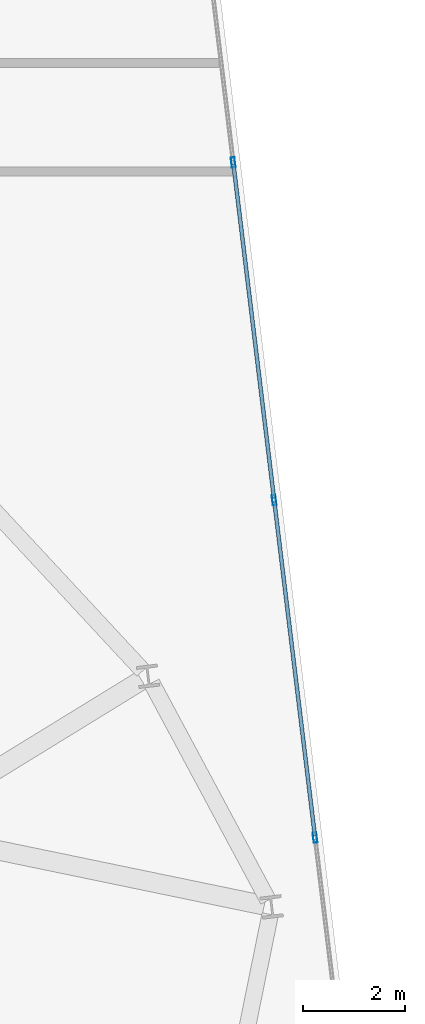
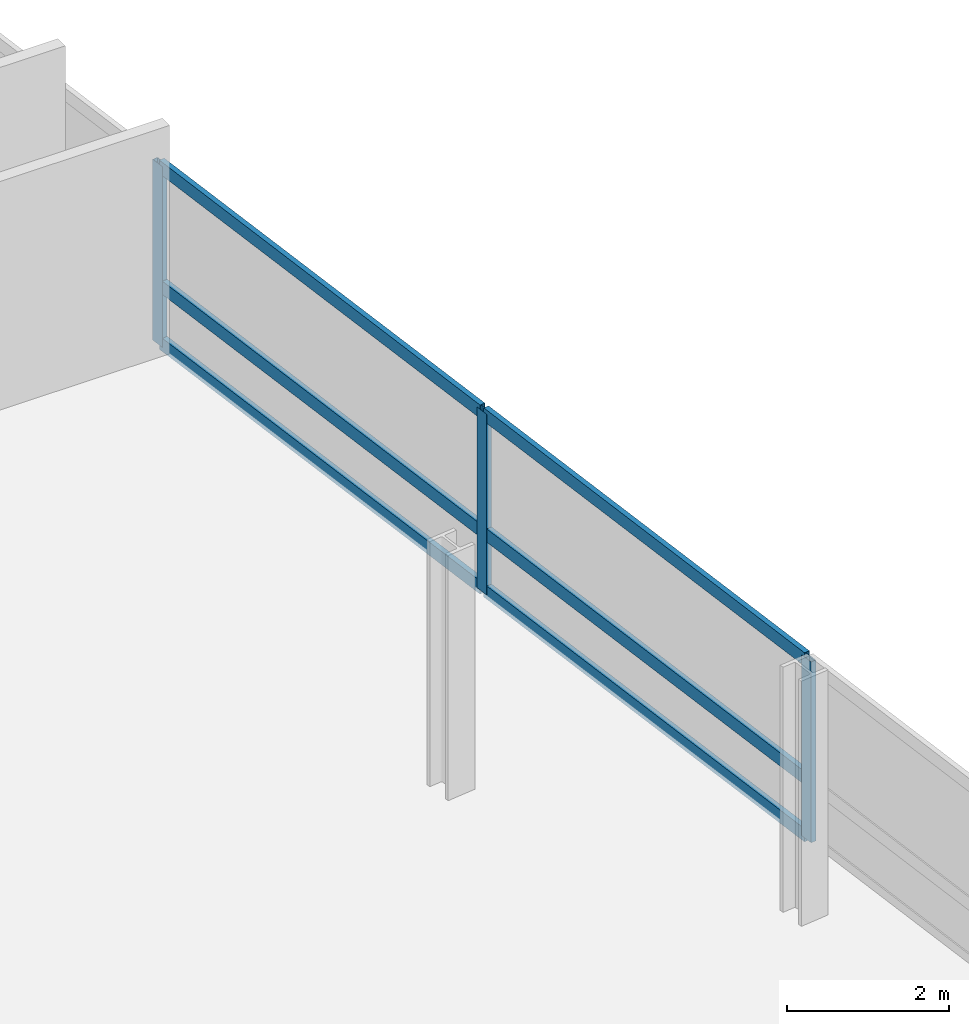
# One storey, part 11 of 22: 9 members, 1 element without a shape of its own.
"""IFC4 building model written with IfcOpenShell, lengths in metres."""

import ifcopenshell
import ifcopenshell.guid

model = None  # the IFC model being written
_history = None  # IfcOwnerHistory: only IFC2X3 demands one
_inside = {}  # id of a spatial element -> (the spatial element, [elements in it])
_under = {}  # id of a project, library or spatial element -> (it, [spatial elements below it])
_declared = {}  # id of a project -> (the project, [libraries it declares])
_typed = {}  # id of a type object -> (the type object, [elements of that type])
_made_of = {}  # id of a material, layer set ... -> (it, [elements and type objects made of it])


def new_model(schema):
    """Start an empty IFC model of exactly this schema.

    Asked for "IFC4X3", IfcOpenShell would pick the latest addendum, in which some entities
    have other attributes; the version numbers below select the first issue.
    IFC2X3 requires an IfcOwnerHistory on every rooted entity: one is made here for all.
    """
    global model, _history
    if schema == "IFC4X3":
        model = ifcopenshell.file(schema_version=(4, 3, 0, 0))
    else:
        model = ifcopenshell.file(schema=schema)
    _inside.clear()
    _under.clear()
    _declared.clear()
    _typed.clear()
    _made_of.clear()
    _history = None
    if model.schema == "IFC2X3":
        org = make("IfcOrganization", Name="unknown")
        user = make(
            "IfcPersonAndOrganization",
            ThePerson=make("IfcPerson", FamilyName="unknown"),
            TheOrganization=org,
        )
        app = make(
            "IfcApplication",
            ApplicationDeveloper=org,
            Version="unknown",
            ApplicationFullName="unknown",
            ApplicationIdentifier="unknown",
        )
        _history = make(
            "IfcOwnerHistory",
            OwningUser=user,
            OwningApplication=app,
            ChangeAction="ADDED",
            CreationDate=0,
        )
    return model


def make(cls, **values):
    """One entity of the class cls with the attributes given. An attribute that is None is left unset."""
    return model.create_entity(
        cls, **{name: value for name, value in values.items() if value is not None}
    )


def rooted(cls, **values):
    """An entity with a GlobalId (a new one), such as an element, a storey or a relation."""
    return make(cls, GlobalId=ifcopenshell.guid.new(), OwnerHistory=_history, **values)


def si_unit(unit_type, name, prefix=None):
    """IfcSIUnit, for example si_unit("LENGTHUNIT", "METRE", prefix="MILLI")."""
    return make("IfcSIUnit", UnitType=unit_type, Prefix=prefix, Name=name)


def assignment(units):
    """IfcUnitAssignment: the units of a project."""
    return None if units is None else make("IfcUnitAssignment", Units=units)


def point(xyz):
    """IfcCartesianPoint."""
    return None if xyz is None else make("IfcCartesianPoint", Coordinates=xyz)


def direction(xyz):
    """IfcDirection."""
    return None if xyz is None else make("IfcDirection", DirectionRatios=xyz)


def frame(location, z_axis=None, x_axis=None):
    """IfcAxis2Placement3D, a coordinate frame: its origin and axes. An axis left out is left unset."""
    return make(
        "IfcAxis2Placement3D",
        Location=point(location),
        Axis=direction(z_axis),
        RefDirection=direction(x_axis),
    )


def frame_2d(location, x_axis=None):
    """IfcAxis2Placement2D, a coordinate frame in the plane: its origin and x axis."""
    return make(
        "IfcAxis2Placement2D", Location=point(location), RefDirection=direction(x_axis)
    )


def origin():
    """The frame at (0, 0, 0) with its axes left unset."""
    return frame((0.0, 0.0, 0.0))


def origin_2d():
    """The frame at (0, 0) in the plane with its x axis left unset."""
    return frame_2d((0.0, 0.0))


def place(relative_to, where):
    """IfcLocalPlacement: puts the frame where relative to a parent placement (None: the world)."""
    return make(
        "IfcLocalPlacement", PlacementRelTo=relative_to, RelativePlacement=where
    )


def context(
    kind, dimensions, precision=None, world=None, true_north=None, identifier=None
):
    """IfcGeometricRepresentationContext, for example the 3D "Model" context."""
    return make(
        "IfcGeometricRepresentationContext",
        ContextIdentifier=identifier,
        ContextType=kind,
        CoordinateSpaceDimension=dimensions,
        Precision=precision,
        WorldCoordinateSystem=world,
        TrueNorth=true_north,
    )


def subcontext(parent, identifier, kind, view, scale=None):
    """IfcGeometricRepresentationSubContext, for example "Body" below "Model"."""
    return make(
        "IfcGeometricRepresentationSubContext",
        ContextIdentifier=identifier,
        ContextType=kind,
        ParentContext=parent,
        TargetScale=scale,
        TargetView=view,
    )


def project(units=None, contexts=None):
    """IfcProject with its units and contexts."""
    return rooted(
        "IfcProject",
        Name="project",
        RepresentationContexts=contexts,
        UnitsInContext=assignment(units),
    )


def spatial(cls, under=None, at=None, **own):
    """A site, building, storey or space (cls), placed at a placement, below another one or the project."""
    s = rooted(cls, ObjectPlacement=at, **own)
    if under is not None:
        _under.setdefault(under.id(), (under, []))[1].append(s)
    return s


def profile(cls, at=None, kind="AREA", **sizes):
    """A parametric profile (cls). Its sizes go by their IFC names, for example OverallWidth=200.0."""
    return make(cls, ProfileType=kind, Position=at, **sizes)


def hollow_rectangle(**sizes):
    """IfcRectangleHollowProfileDef."""
    return profile("IfcRectangleHollowProfileDef", **sizes)


def extrude(swept, where, along, depth):
    """IfcExtrudedAreaSolid: the profile swept, set in the frame where, extruded along a direction by depth."""
    return make(
        "IfcExtrudedAreaSolid",
        SweptArea=swept,
        Position=where,
        ExtrudedDirection=direction(along),
        Depth=depth,
    )


def shape(context_of_items, identifier, shape_type, items):
    """IfcShapeRepresentation: the items that make up one representation, for example the "Body"."""
    return make(
        "IfcShapeRepresentation",
        ContextOfItems=context_of_items,
        RepresentationIdentifier=identifier,
        RepresentationType=shape_type,
        Items=items,
    )


def material(Name=None, Category=None):
    """IfcMaterial."""
    return make("IfcMaterial", Name=Name, Category=Category)


def layer(
    of_material, thickness, ventilated=None, Name=None, Category=None, Priority=None
):
    """IfcMaterialLayer: one layer of a wall or slab, of a material (None: an air gap)."""
    return make(
        "IfcMaterialLayer",
        Material=of_material,
        LayerThickness=thickness,
        IsVentilated=ventilated,
        Name=Name,
        Category=Category,
        Priority=Priority,
    )


def layer_set(layers, Name=None):
    """IfcMaterialLayerSet."""
    return make("IfcMaterialLayerSet", MaterialLayers=layers, LayerSetName=Name)


def material_profile(
    of_material, cross_section, Name=None, Category=None, Priority=None
):
    """IfcMaterialProfile: a cross section and its material."""
    return make(
        "IfcMaterialProfile",
        Name=Name,
        Material=of_material,
        Profile=cross_section,
        Priority=Priority,
        Category=Category,
    )


def profile_set(profiles, Name=None, composite=None):
    """IfcMaterialProfileSet."""
    return make(
        "IfcMaterialProfileSet",
        Name=Name,
        MaterialProfiles=profiles,
        CompositeProfile=composite,
    )


def made_of(thing, what):
    """Note that an element or type object is made of a material, layer set ...; save() writes the relation."""
    if what is not None:
        _made_of.setdefault(what.id(), (what, []))[1].append(thing)
    return thing


def type_object(cls, material=None, **own):
    """A type object (cls), such as IfcWallType, which elements share."""
    return made_of(rooted(cls, **own), material)


def element(
    cls,
    number,
    at=None,
    inside=None,
    cuts=None,
    type_object=None,
    material=None,
    context=None,
    identifier="Body",
    shape_type=None,
    held_by="IfcProductDefinitionShape",
    body=None,
    shapes=None,
    **own,
):
    """One element of the class cls, such as IfcWall. Its Tag is "e" and its number.

    at: its placement. inside: the storey or other place that contains it. cuts: it is an
    opening in that element (IfcRelVoidsElement). A single representation is given by context,
    identifier, shape_type and body (its items); several are given by shapes. held_by: the class
    of the entity that holds the representations. save() writes the other relations.
    """
    e = rooted(cls, Tag="e%d" % number, ObjectPlacement=at, **own)
    if body is not None:
        shapes = [shape(context, identifier, shape_type, body)]
    if shapes is not None:
        e.Representation = make(held_by, Representations=shapes)
    if inside is not None:
        _inside.setdefault(inside.id(), (inside, []))[1].append(e)
    if cuts is not None:
        rooted(
            "IfcRelVoidsElement", RelatingBuildingElement=cuts, RelatedOpeningElement=e
        )
    if type_object is not None:
        _typed.setdefault(type_object.id(), (type_object, []))[1].append(e)
    return made_of(e, material)


def aggregate(whole, parts):
    """IfcRelAggregates: a whole, such as a stair, and the parts it consists of."""
    return rooted("IfcRelAggregates", RelatingObject=whole, RelatedObjects=parts)


def save(model, path):
    """Write the relations noted so far, then the file.

    IfcRelAggregates (storeys below a building ...), IfcRelContainedInSpatialStructure (elements
    in a storey), IfcRelDefinesByType, IfcRelAssociatesMaterial and IfcRelDeclares: one each for
    every whole, place, type object, material and project.
    """
    for whole, parts in _under.values():
        aggregate(whole, parts)
    for where, things in _inside.values():
        rooted(
            "IfcRelContainedInSpatialStructure",
            RelatedElements=things,
            RelatingStructure=where,
        )
    for kind, things in _typed.values():
        rooted("IfcRelDefinesByType", RelatedObjects=things, RelatingType=kind)
    for what, things in _made_of.values():
        rooted("IfcRelAssociatesMaterial", RelatedObjects=things, RelatingMaterial=what)
    for by, libraries in _declared.values():
        rooted("IfcRelDeclares", RelatingContext=by, RelatedDefinitions=libraries)
    model.write(path)


model = new_model("IFC4")

# Units and contexts
model_context = context("Model", 3, precision=1e-05, world=origin(), true_north=direction((0.0, 1.0)))
body_context = subcontext(model_context, "Body", "Model", "MODEL_VIEW")
ifc_project = project(units=[si_unit("LENGTHUNIT", "METRE"), si_unit("AREAUNIT", "SQUARE_METRE"), si_unit("VOLUMEUNIT", "CUBIC_METRE"), si_unit("PLANEANGLEUNIT", "RADIAN"), si_unit("MASSUNIT", "GRAM", prefix="KILO")], contexts=[model_context])

# Site, building, storey
site_placement = place(None, origin())
site = spatial("IfcSite", under=ifc_project, at=site_placement, CompositionType="ELEMENT")
building_placement = place(site_placement, origin())
building = spatial("IfcBuilding", under=site, at=building_placement, Name="Varnelok Gate Tower", CompositionType="ELEMENT")
storey_placement = place(building_placement, frame((0.0, 0.0, 178.300048828125)))
storey = spatial("IfcBuildingStorey", under=building, at=storey_placement, Name="L45", CompositionType="ELEMENT", Elevation=178.300048828125)

# Curtain wall, members
ifc_material = material(Name="Anodized Aluminum Alloy 6063-T6", Category="aluminium")
ifc_layer = layer(ifc_material, 0.179931640625)
ifc_layer_set = layer_set([ifc_layer], Name="Anodized Aluminum Alloy 6063-T6")
curtain_wall_type = type_object("IfcCurtainWallType", Name="CW4-RESIDENCE-VISION", PredefinedType="USERDEFINED", material=ifc_layer_set)
curtain_wall_placement = place(storey_placement, origin())
curtain_wall = element("IfcCurtainWall", 1, at=curtain_wall_placement, inside=storey, type_object=curtain_wall_type, Name="L45 East End Vision Curtain Wall", ObjectType="UNITISED CURTAIN WALL", PredefinedType="USERDEFINED")
ifc_material_profile_1 = material_profile(ifc_material, hollow_rectangle(XDim=0.074951171875, YDim=0.199951171875, WallThickness=0.00390625, at=origin_2d()), Name="ALU200X75X4")
ifc_profile_set_1 = profile_set([ifc_material_profile_1], Name="Anodized Aluminum Alloy 6063-T6")
member_type_1 = type_object("IfcMemberType", Name="CW-MULL-200", PredefinedType="MULLION", material=ifc_profile_set_1)
member_1_placement = place(storey_placement, frame((72.898681640625, 39.478515625, 0.0), z_axis=(0.0, 0.0, 1.0), x_axis=(0.992732188751, 0.120344511371, 0.0)))
member_1 = element("IfcMember", 2, at=member_1_placement, type_object=member_type_1, Name="CW4 mullion 2", PredefinedType="MULLION", context=body_context, shape_type="SweptSolid", body=[
    extrude(hollow_rectangle(XDim=0.074951171875, YDim=0.199951171875, WallThickness=0.00390625, at=origin_2d()), origin(), (0.0, 0.0, 1.0), 2.72998046875),
])
member_2_placement = place(storey_placement, frame((73.702392578125, 32.846923828125, 0.0), z_axis=(0.0, 0.0, 1.0), x_axis=(0.992732188751, 0.120344511371, 0.0)))
member_2 = element("IfcMember", 3, at=member_2_placement, type_object=member_type_1, Name="CW4 mullion 3", PredefinedType="MULLION", context=body_context, shape_type="SweptSolid", body=[
    extrude(hollow_rectangle(XDim=0.074951171875, YDim=0.199951171875, WallThickness=0.00390625, at=origin_2d()), origin(), (0.0, 0.0, 1.0), 2.72998046875),
])
member_3_placement = place(storey_placement, frame((74.50634765625, 26.215576171875, 0.0), z_axis=(0.0, 0.0, 1.0), x_axis=(0.992732188751, 0.120344511371, 0.0)))
member_3 = element("IfcMember", 4, at=member_3_placement, type_object=member_type_1, Name="CW4 mullion 4", PredefinedType="MULLION", context=body_context, shape_type="SweptSolid", body=[
    extrude(hollow_rectangle(XDim=0.074951171875, YDim=0.199951171875, WallThickness=0.00390625, at=origin_2d()), origin(), (0.0, 0.0, 1.0), 2.72998046875),
])
ifc_material_profile_2 = material_profile(ifc_material, hollow_rectangle(XDim=0.074951171875, YDim=0.199951171875, WallThickness=0.00390625, at=origin_2d()), Name="ALU200X75X4")
ifc_profile_set_2 = profile_set([ifc_material_profile_2], Name="Anodized Aluminum Alloy 6063-T6")
member_type_2 = type_object("IfcMemberType", Name="CW-TRAN-200", PredefinedType="USERDEFINED", material=ifc_profile_set_2)
member_4_placement = place(storey_placement, frame((72.903076171875, 39.441162109375, 0.037353515625), z_axis=(0.120353445289, -0.992731105691, 0.0), x_axis=(0.992731105691, 0.120353445289, 0.0)))
member_4 = element("IfcMember", 5, at=member_4_placement, type_object=member_type_2, Name="CW4 transom 2.1", ObjectType="TRANSOM", PredefinedType="USERDEFINED", context=body_context, shape_type="SweptSolid", body=[
    extrude(hollow_rectangle(XDim=0.074951171875, YDim=0.199951171875, WallThickness=0.00390625, at=origin_2d()), origin(), (0.0, 0.0, 1.0), 6.60498046875),
])
member_5_placement = place(storey_placement, frame((72.903076171875, 39.441162109375, 0.89990234375), z_axis=(0.120353445289, -0.992731105691, 0.0), x_axis=(0.992731105691, 0.120353445289, 0.0)))
member_5 = element("IfcMember", 6, at=member_5_placement, type_object=member_type_2, Name="CW4 transom 2.2", ObjectType="TRANSOM", PredefinedType="USERDEFINED", context=body_context, shape_type="SweptSolid", body=[
    extrude(hollow_rectangle(XDim=0.074951171875, YDim=0.199951171875, WallThickness=0.00390625, at=origin_2d()), origin(), (0.0, 0.0, 1.0), 6.60498046875),
])
member_6_placement = place(storey_placement, frame((72.903076171875, 39.441162109375, 2.6923828125), z_axis=(0.120353445289, -0.992731105691, 0.0), x_axis=(0.992731105691, 0.120353445289, 0.0)))
member_6 = element("IfcMember", 7, at=member_6_placement, type_object=member_type_2, Name="CW4 transom 2.3", ObjectType="TRANSOM", PredefinedType="USERDEFINED", context=body_context, shape_type="SweptSolid", body=[
    extrude(hollow_rectangle(XDim=0.074951171875, YDim=0.199951171875, WallThickness=0.00390625, at=origin_2d()), origin(), (0.0, 0.0, 1.0), 6.60498046875),
])
member_7_placement = place(storey_placement, frame((73.70703125, 32.809814453125, 0.037353515625), z_axis=(0.120349029092, -0.992731641078, 0.0), x_axis=(0.992731641078, 0.120349029092, 0.0)))
member_7 = element("IfcMember", 8, at=member_7_placement, type_object=member_type_2, Name="CW4 transom 3.1", ObjectType="TRANSOM", PredefinedType="USERDEFINED", context=body_context, shape_type="SweptSolid", body=[
    extrude(hollow_rectangle(XDim=0.074951171875, YDim=0.199951171875, WallThickness=0.00390625, at=origin_2d()), origin(), (0.0, 0.0, 1.0), 6.605224609375),
])
member_8_placement = place(storey_placement, frame((73.70703125, 32.809814453125, 0.89990234375), z_axis=(0.120349029092, -0.992731641078, 0.0), x_axis=(0.992731641078, 0.120349029092, 0.0)))
member_8 = element("IfcMember", 9, at=member_8_placement, type_object=member_type_2, Name="CW4 transom 3.2", ObjectType="TRANSOM", PredefinedType="USERDEFINED", context=body_context, shape_type="SweptSolid", body=[
    extrude(hollow_rectangle(XDim=0.074951171875, YDim=0.199951171875, WallThickness=0.00390625, at=origin_2d()), origin(), (0.0, 0.0, 1.0), 6.605224609375),
])
member_9_placement = place(storey_placement, frame((73.70703125, 32.809814453125, 2.6923828125), z_axis=(0.120349029092, -0.992731641078, 0.0), x_axis=(0.992731641078, 0.120349029092, 0.0)))
member_9 = element("IfcMember", 10, at=member_9_placement, type_object=member_type_2, Name="CW4 transom 3.3", ObjectType="TRANSOM", PredefinedType="USERDEFINED", context=body_context, shape_type="SweptSolid", body=[
    extrude(hollow_rectangle(XDim=0.074951171875, YDim=0.199951171875, WallThickness=0.00390625, at=origin_2d()), origin(), (0.0, 0.0, 1.0), 6.605224609375),
])
aggregate(curtain_wall, [member_1, member_2, member_3, member_4, member_5, member_6, member_7, member_8, member_9])

save(model, "model.ifc")
